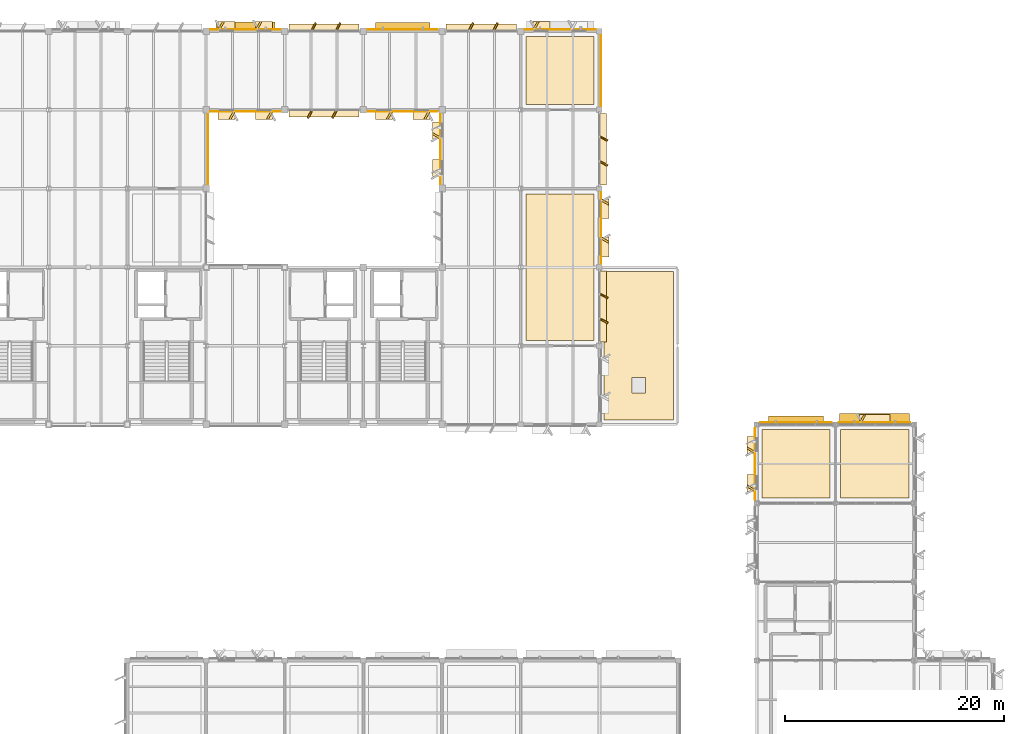
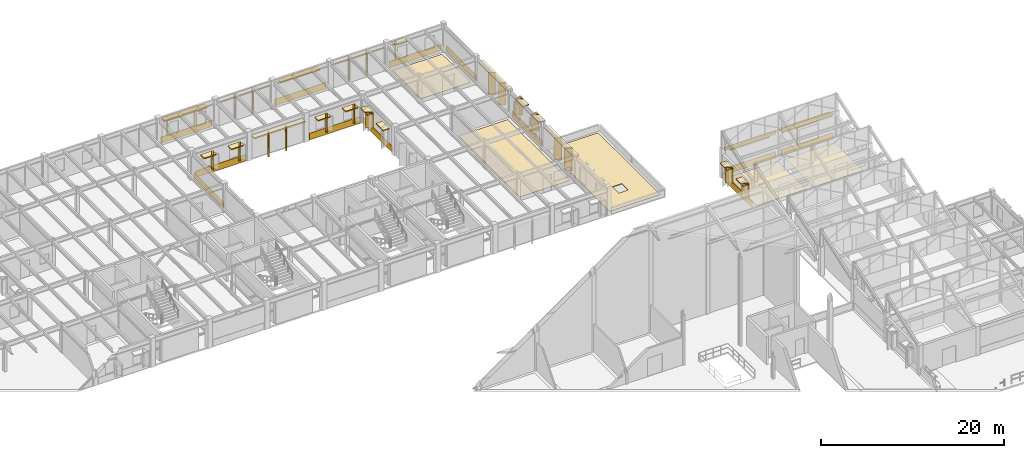
# One storey, part 81 of 82: 61 coverings, 4 shading devices.
"""IFC4 building model written with IfcOpenShell, lengths in metres."""

import ifcopenshell
import ifcopenshell.guid

model = None  # the IFC model being written
_history = None  # IfcOwnerHistory: only IFC2X3 demands one
_inside = {}  # id of a spatial element -> (the spatial element, [elements in it])
_under = {}  # id of a project, library or spatial element -> (it, [spatial elements below it])
_declared = {}  # id of a project -> (the project, [libraries it declares])
_typed = {}  # id of a type object -> (the type object, [elements of that type])
_made_of = {}  # id of a material, layer set ... -> (it, [elements and type objects made of it])


def new_model(schema):
    """Start an empty IFC model of exactly this schema.

    Asked for "IFC4X3", IfcOpenShell would pick the latest addendum, in which some entities
    have other attributes; the version numbers below select the first issue.
    IFC2X3 requires an IfcOwnerHistory on every rooted entity: one is made here for all.
    """
    global model, _history
    if schema == "IFC4X3":
        model = ifcopenshell.file(schema_version=(4, 3, 0, 0))
    else:
        model = ifcopenshell.file(schema=schema)
    _inside.clear()
    _under.clear()
    _declared.clear()
    _typed.clear()
    _made_of.clear()
    _history = None
    if model.schema == "IFC2X3":
        org = make("IfcOrganization", Name="unknown")
        user = make(
            "IfcPersonAndOrganization",
            ThePerson=make("IfcPerson", FamilyName="unknown"),
            TheOrganization=org,
        )
        app = make(
            "IfcApplication",
            ApplicationDeveloper=org,
            Version="unknown",
            ApplicationFullName="unknown",
            ApplicationIdentifier="unknown",
        )
        _history = make(
            "IfcOwnerHistory",
            OwningUser=user,
            OwningApplication=app,
            ChangeAction="ADDED",
            CreationDate=0,
        )
    return model


def make(cls, **values):
    """One entity of the class cls with the attributes given. An attribute that is None is left unset."""
    return model.create_entity(
        cls, **{name: value for name, value in values.items() if value is not None}
    )


def rooted(cls, **values):
    """An entity with a GlobalId (a new one), such as an element, a storey or a relation."""
    return make(cls, GlobalId=ifcopenshell.guid.new(), OwnerHistory=_history, **values)


def si_unit(unit_type, name, prefix=None):
    """IfcSIUnit, for example si_unit("LENGTHUNIT", "METRE", prefix="MILLI")."""
    return make("IfcSIUnit", UnitType=unit_type, Prefix=prefix, Name=name)


def assignment(units):
    """IfcUnitAssignment: the units of a project."""
    return None if units is None else make("IfcUnitAssignment", Units=units)


def point(xyz):
    """IfcCartesianPoint."""
    return None if xyz is None else make("IfcCartesianPoint", Coordinates=xyz)


def direction(xyz):
    """IfcDirection."""
    return None if xyz is None else make("IfcDirection", DirectionRatios=xyz)


def frame(location, z_axis=None, x_axis=None):
    """IfcAxis2Placement3D, a coordinate frame: its origin and axes. An axis left out is left unset."""
    return make(
        "IfcAxis2Placement3D",
        Location=point(location),
        Axis=direction(z_axis),
        RefDirection=direction(x_axis),
    )


def frame_2d(location, x_axis=None):
    """IfcAxis2Placement2D, a coordinate frame in the plane: its origin and x axis."""
    return make(
        "IfcAxis2Placement2D", Location=point(location), RefDirection=direction(x_axis)
    )


def origin():
    """The frame at (0, 0, 0) with its axes left unset."""
    return frame((0.0, 0.0, 0.0))


def origin_2d():
    """The frame at (0, 0) in the plane with its x axis left unset."""
    return frame_2d((0.0, 0.0))


def place(relative_to, where):
    """IfcLocalPlacement: puts the frame where relative to a parent placement (None: the world)."""
    return make(
        "IfcLocalPlacement", PlacementRelTo=relative_to, RelativePlacement=where
    )


def context(
    kind, dimensions, precision=None, world=None, true_north=None, identifier=None
):
    """IfcGeometricRepresentationContext, for example the 3D "Model" context."""
    return make(
        "IfcGeometricRepresentationContext",
        ContextIdentifier=identifier,
        ContextType=kind,
        CoordinateSpaceDimension=dimensions,
        Precision=precision,
        WorldCoordinateSystem=world,
        TrueNorth=true_north,
    )


def subcontext(parent, identifier, kind, view, scale=None):
    """IfcGeometricRepresentationSubContext, for example "Body" below "Model"."""
    return make(
        "IfcGeometricRepresentationSubContext",
        ContextIdentifier=identifier,
        ContextType=kind,
        ParentContext=parent,
        TargetScale=scale,
        TargetView=view,
    )


def project(units=None, contexts=None):
    """IfcProject with its units and contexts."""
    return rooted(
        "IfcProject",
        Name="project",
        RepresentationContexts=contexts,
        UnitsInContext=assignment(units),
    )


def spatial(cls, under=None, at=None, **own):
    """A site, building, storey or space (cls), placed at a placement, below another one or the project."""
    s = rooted(cls, ObjectPlacement=at, **own)
    if under is not None:
        _under.setdefault(under.id(), (under, []))[1].append(s)
    return s


def polyline(points):
    """IfcPolyline through the points."""
    return make("IfcPolyline", Points=[point(p) for p in points])


def profile(cls, at=None, kind="AREA", **sizes):
    """A parametric profile (cls). Its sizes go by their IFC names, for example OverallWidth=200.0."""
    return make(cls, ProfileType=kind, Position=at, **sizes)


def rectangle(**sizes):
    """IfcRectangleProfileDef."""
    return profile("IfcRectangleProfileDef", **sizes)


def outline(outer, holes=None, kind="AREA"):
    """IfcArbitraryClosedProfileDef: a profile drawn as a closed curve; with holes, ...WithVoids."""
    if holes is None:
        return make("IfcArbitraryClosedProfileDef", ProfileType=kind, OuterCurve=outer)
    return make(
        "IfcArbitraryProfileDefWithVoids",
        ProfileType=kind,
        OuterCurve=outer,
        InnerCurves=holes,
    )


def extrude(swept, where, along, depth):
    """IfcExtrudedAreaSolid: the profile swept, set in the frame where, extruded along a direction by depth."""
    return make(
        "IfcExtrudedAreaSolid",
        SweptArea=swept,
        Position=where,
        ExtrudedDirection=direction(along),
        Depth=depth,
    )


def shape(context_of_items, identifier, shape_type, items):
    """IfcShapeRepresentation: the items that make up one representation, for example the "Body"."""
    return make(
        "IfcShapeRepresentation",
        ContextOfItems=context_of_items,
        RepresentationIdentifier=identifier,
        RepresentationType=shape_type,
        Items=items,
    )


def material(Name=None, Category=None):
    """IfcMaterial."""
    return make("IfcMaterial", Name=Name, Category=Category)


def layer(
    of_material, thickness, ventilated=None, Name=None, Category=None, Priority=None
):
    """IfcMaterialLayer: one layer of a wall or slab, of a material (None: an air gap)."""
    return make(
        "IfcMaterialLayer",
        Material=of_material,
        LayerThickness=thickness,
        IsVentilated=ventilated,
        Name=Name,
        Category=Category,
        Priority=Priority,
    )


def layer_set(layers, Name=None):
    """IfcMaterialLayerSet."""
    return make("IfcMaterialLayerSet", MaterialLayers=layers, LayerSetName=Name)


def made_of(thing, what):
    """Note that an element or type object is made of a material, layer set ...; save() writes the relation."""
    if what is not None:
        _made_of.setdefault(what.id(), (what, []))[1].append(thing)
    return thing


def type_object(cls, material=None, **own):
    """A type object (cls), such as IfcWallType, which elements share."""
    return made_of(rooted(cls, **own), material)


def element(
    cls,
    number,
    at=None,
    inside=None,
    cuts=None,
    type_object=None,
    material=None,
    context=None,
    identifier="Body",
    shape_type=None,
    held_by="IfcProductDefinitionShape",
    body=None,
    shapes=None,
    **own,
):
    """One element of the class cls, such as IfcWall. Its Tag is "e" and its number.

    at: its placement. inside: the storey or other place that contains it. cuts: it is an
    opening in that element (IfcRelVoidsElement). A single representation is given by context,
    identifier, shape_type and body (its items); several are given by shapes. held_by: the class
    of the entity that holds the representations. save() writes the other relations.
    """
    e = rooted(cls, Tag="e%d" % number, ObjectPlacement=at, **own)
    if body is not None:
        shapes = [shape(context, identifier, shape_type, body)]
    if shapes is not None:
        e.Representation = make(held_by, Representations=shapes)
    if inside is not None:
        _inside.setdefault(inside.id(), (inside, []))[1].append(e)
    if cuts is not None:
        rooted(
            "IfcRelVoidsElement", RelatingBuildingElement=cuts, RelatedOpeningElement=e
        )
    if type_object is not None:
        _typed.setdefault(type_object.id(), (type_object, []))[1].append(e)
    return made_of(e, material)


def aggregate(whole, parts):
    """IfcRelAggregates: a whole, such as a stair, and the parts it consists of."""
    return rooted("IfcRelAggregates", RelatingObject=whole, RelatedObjects=parts)


def save(model, path):
    """Write the relations noted so far, then the file.

    IfcRelAggregates (storeys below a building ...), IfcRelContainedInSpatialStructure (elements
    in a storey), IfcRelDefinesByType, IfcRelAssociatesMaterial and IfcRelDeclares: one each for
    every whole, place, type object, material and project.
    """
    for whole, parts in _under.values():
        aggregate(whole, parts)
    for where, things in _inside.values():
        rooted(
            "IfcRelContainedInSpatialStructure",
            RelatedElements=things,
            RelatingStructure=where,
        )
    for kind, things in _typed.values():
        rooted("IfcRelDefinesByType", RelatedObjects=things, RelatingType=kind)
    for what, things in _made_of.values():
        rooted("IfcRelAssociatesMaterial", RelatedObjects=things, RelatingMaterial=what)
    for by, libraries in _declared.values():
        rooted("IfcRelDeclares", RelatingContext=by, RelatedDefinitions=libraries)
    model.write(path)


model = new_model("IFC4")

# Units and contexts
model_context = context("Model", 3, precision=1e-05, world=origin(), true_north=direction((0.0, 1.0)))
body_context = subcontext(model_context, "Body", "Model", "MODEL_VIEW")
ifc_project = project(units=[si_unit("LENGTHUNIT", "METRE"), si_unit("AREAUNIT", "SQUARE_METRE"), si_unit("VOLUMEUNIT", "CUBIC_METRE"), si_unit("PLANEANGLEUNIT", "RADIAN"), si_unit("MASSUNIT", "GRAM", prefix="KILO")], contexts=[model_context])

# Site, building, storey
site_placement = place(None, origin())
site = spatial("IfcSite", under=ifc_project, at=site_placement, CompositionType="ELEMENT")
building_placement = place(site_placement, origin())
building = spatial("IfcBuilding", under=site, at=building_placement, Name="Sillqori Civic Hall", CompositionType="ELEMENT")
storey_placement = place(building_placement, frame((0.0, 0.0, 14.10009765625)))
storey = spatial("IfcBuildingStorey", under=building, at=storey_placement, Name="L04", CompositionType="ELEMENT", Elevation=14.10009765625)

# Coverings
ifc_material_1 = material(Name="Cochabamba Honed Limestone Cladding", Category="masonry")
ifc_layer_1 = layer(ifc_material_1, 0.044921875)
ifc_layer_set_1 = layer_set([ifc_layer_1], Name="Cochabamba Honed Limestone Cladding")
covering_type_1 = type_object("IfcCoveringType", Name="COV-CLAD-LIME", PredefinedType="CLADDING", material=ifc_layer_set_1)
for number, where, z_axis, x_axis, name in (
    (1, (72.159912109375, 107.6201171875, 0.039794921875), (0.0, 0.0, 1.0), (0.0, -1.0, 0.0), "L04 limestone spandrel cladding L04-09-14-E"),
    (2, (78.820068359375, 107.840087890625, 0.039794921875), (0.0, 0.0, 1.0), (-1.0, 0.0, 0.0), "L04 limestone spandrel cladding L04-10-15-S"),
):
    element("IfcCovering", number, at=place(storey_placement, frame(where, z_axis=z_axis, x_axis=x_axis)), inside=storey, type_object=covering_type_1, Name=name, PredefinedType="CLADDING", context=body_context, shape_type="SweptSolid", body=[
        extrude(rectangle(XDim=6.440185546875, YDim=0.044921875, at=frame_2d((3.22021484375, 0.0))), origin(), (0.0, 0.0, 1.0), 0.860107421875),
    ])
covering_1_placement = place(storey_placement, frame((78.035888671875, 107.8798828125, 0.829833984375), z_axis=(0.0, 0.0, 1.0), x_axis=(-0.499846793097, -0.866113839764, 0.0)))
element("IfcCovering", 3, at=covering_1_placement, inside=storey, type_object=covering_type_1, Name="Sawtooth limestone angled reveal cheek L04-10-15-S.1", PredefinedType="CLADDING", context=body_context, shape_type="SweptSolid", body=[
    extrude(rectangle(XDim=0.849853515625, YDim=0.179931640625, at=frame_2d((0.4248046875, 0.0))), origin(), (0.0, 0.0, 1.0), 2.0),
])
covering_2_placement = place(storey_placement, frame((78.095947265625, 107.5, 2.68994140625), z_axis=(0.0, 0.0, 1.0), x_axis=(-1.0, 0.0, 0.0)))
element("IfcCovering", 4, at=covering_2_placement, inside=storey, type_object=covering_type_1, Name="Sawtooth limestone window hood L04-10-15-S.1", PredefinedType="CLADDING", context=body_context, shape_type="SweptSolid", body=[
    extrude(rectangle(XDim=1.56005859375, YDim=0.780029296875, at=frame_2d((0.780029296875, 0.0))), origin(), (0.0, 0.0, 1.0), 0.139892578125),
])
covering_3_placement = place(storey_placement, frame((74.60400390625, 107.8798828125, 0.829833984375), z_axis=(0.0, 0.0, 1.0), x_axis=(-0.500062241894, -0.865989465428, 0.0)))
element("IfcCovering", 5, at=covering_3_placement, inside=storey, type_object=covering_type_1, Name="Sawtooth limestone angled reveal cheek L04-10-15-S.2", PredefinedType="CLADDING", context=body_context, shape_type="SweptSolid", body=[
    extrude(rectangle(XDim=0.85009765625, YDim=0.179931640625, at=frame_2d((0.425048828125, 0.0))), origin(), (0.0, 0.0, 1.0), 2.0),
])
covering_4_placement = place(storey_placement, frame((74.6640625, 107.5, 2.68994140625), z_axis=(0.0, 0.0, 1.0), x_axis=(-1.0, 0.0, 0.0)))
element("IfcCovering", 6, at=covering_4_placement, inside=storey, type_object=covering_type_1, Name="Sawtooth limestone window hood L04-10-15-S.2", PredefinedType="CLADDING", context=body_context, shape_type="SweptSolid", body=[
    extrude(rectangle(XDim=1.56005859375, YDim=0.780029296875, at=frame_2d((0.780029296875, 0.0))), origin(), (0.0, 0.0, 1.0), 0.139892578125),
])
covering_5_placement = place(storey_placement, frame((72.3798828125, 115.360107421875, 0.039794921875), z_axis=(0.0, 0.0, 1.0), x_axis=(1.0, 0.0, 0.0)))
element("IfcCovering", 7, at=covering_5_placement, inside=storey, type_object=covering_type_1, Name="L04 limestone spandrel cladding L04-10-15-N", PredefinedType="CLADDING", context=body_context, shape_type="SweptSolid", body=[
    extrude(rectangle(XDim=6.440185546875, YDim=0.044921875, at=frame_2d((3.22021484375, 0.0))), origin(), (0.0, 0.0, 1.0), 0.860107421875),
])
covering_6_placement = place(storey_placement, frame((73.1640625, 115.320068359375, 0.829833984375), z_axis=(0.0, 0.0, 1.0), x_axis=(0.500062241894, 0.865989465428, 0.0)))
element("IfcCovering", 8, at=covering_6_placement, inside=storey, type_object=covering_type_1, Name="Sawtooth limestone angled reveal cheek L04-10-15-N.1", PredefinedType="CLADDING", context=body_context, shape_type="SweptSolid", body=[
    extrude(rectangle(XDim=0.85009765625, YDim=0.179931640625, at=frame_2d((0.425048828125, 0.0))), origin(), (0.0, 0.0, 1.0), 2.0),
])
covering_7_placement = place(storey_placement, frame((73.10400390625, 115.699951171875, 2.68994140625), z_axis=(0.0, 0.0, 1.0), x_axis=(1.0, 0.0, 0.0)))
element("IfcCovering", 9, at=covering_7_placement, inside=storey, type_object=covering_type_1, Name="Sawtooth limestone window hood L04-10-15-N.1", PredefinedType="CLADDING", context=body_context, shape_type="SweptSolid", body=[
    extrude(rectangle(XDim=1.56005859375, YDim=0.780029296875, at=frame_2d((0.780029296875, 0.0))), origin(), (0.0, 0.0, 1.0), 0.139892578125),
])
covering_8_placement = place(storey_placement, frame((76.595947265625, 115.320068359375, 0.829833984375), z_axis=(0.0, 0.0, 1.0), x_axis=(0.500062241894, 0.865989465428, 0.0)))
element("IfcCovering", 10, at=covering_8_placement, inside=storey, type_object=covering_type_1, Name="Sawtooth limestone angled reveal cheek L04-10-15-N.2", PredefinedType="CLADDING", context=body_context, shape_type="SweptSolid", body=[
    extrude(rectangle(XDim=0.85009765625, YDim=0.179931640625, at=frame_2d((0.425048828125, 0.0))), origin(), (0.0, 0.0, 1.0), 2.0),
])
covering_9_placement = place(storey_placement, frame((76.535888671875, 115.699951171875, 2.68994140625), z_axis=(0.0, 0.0, 1.0), x_axis=(1.0, 0.0, 0.0)))
element("IfcCovering", 11, at=covering_9_placement, inside=storey, type_object=covering_type_1, Name="Sawtooth limestone window hood L04-10-15-N.2", PredefinedType="CLADDING", context=body_context, shape_type="SweptSolid", body=[
    extrude(rectangle(XDim=1.56005859375, YDim=0.780029296875, at=frame_2d((0.780029296875, 0.0))), origin(), (0.0, 0.0, 1.0), 0.139892578125),
])
covering_10_placement = place(storey_placement, frame((86.02001953125, 107.679931640625, 2.93798828125), z_axis=(0.0, 0.0, 1.0), x_axis=(-1.0, 0.0, 0.0)))
element("IfcCovering", 12, at=covering_10_placement, inside=storey, type_object=covering_type_1, Name="L04 curtain-wall limestone solar hood L04-11-15-S", PredefinedType="CLADDING", context=body_context, shape_type="SweptSolid", body=[
    extrude(rectangle(XDim=6.43994140625, YDim=0.679931640625, at=frame_2d((3.219970703125, 0.0))), origin(), (0.0, 0.0, 1.0), 0.179931640625),
])
for number, where, z_axis, x_axis, name in (
    (13, (83.922119140625, 107.949951171875, 0.059814453125), (0.0, 0.0, 1.0), (-0.447334902547, -0.894366527193, 0.0), "L04 curtain-wall angled stone fin L04-11-15-S.1"),
    (14, (81.677978515625, 107.949951171875, 0.059814453125), (0.0, 0.0, 1.0), (-0.44709226377, -0.894487846579, 0.0), "L04 curtain-wall angled stone fin L04-11-15-S.2"),
):
    element("IfcCovering", number, at=place(storey_placement, frame(where, z_axis=z_axis, x_axis=x_axis)), inside=storey, type_object=covering_type_1, Name=name, PredefinedType="CLADDING", context=body_context, shape_type="SweptSolid", body=[
        extrude(rectangle(XDim=0.804931640625, YDim=0.139892578125, at=frame_2d((0.40234375, 0.0))), origin(), (0.0, 0.0, 1.0), 2.878173828125),
    ])
covering_11_placement = place(storey_placement, frame((79.580078125, 115.52001953125, 2.93798828125), z_axis=(0.0, 0.0, 1.0), x_axis=(1.0, 0.0, 0.0)))
element("IfcCovering", 15, at=covering_11_placement, inside=storey, type_object=covering_type_1, Name="L04 curtain-wall limestone solar hood L04-11-15-N", PredefinedType="CLADDING", context=body_context, shape_type="SweptSolid", body=[
    extrude(rectangle(XDim=6.43994140625, YDim=0.679931640625, at=frame_2d((3.219970703125, 0.0))), origin(), (0.0, 0.0, 1.0), 0.179931640625),
])
for number, where, z_axis, x_axis, name in (
    (16, (81.677978515625, 115.25, 0.059814453125), (0.0, 0.0, 1.0), (0.447334902547, 0.894366527193, 0.0), "L04 curtain-wall angled stone fin L04-11-15-N.1"),
    (17, (83.922119140625, 115.25, 0.059814453125), (0.0, 0.0, 1.0), (0.44709226377, 0.894487846579, 0.0), "L04 curtain-wall angled stone fin L04-11-15-N.2"),
):
    element("IfcCovering", number, at=place(storey_placement, frame(where, z_axis=z_axis, x_axis=x_axis)), inside=storey, type_object=covering_type_1, Name=name, PredefinedType="CLADDING", context=body_context, shape_type="SweptSolid", body=[
        extrude(rectangle(XDim=0.804931640625, YDim=0.139892578125, at=frame_2d((0.40234375, 0.0))), origin(), (0.0, 0.0, 1.0), 2.878173828125),
    ])
covering_12_placement = place(storey_placement, frame((93.219970703125, 107.840087890625, 0.039794921875), z_axis=(0.0, 0.0, 1.0), x_axis=(-1.0, 0.0, 0.0)))
element("IfcCovering", 18, at=covering_12_placement, inside=storey, type_object=covering_type_1, Name="L04 limestone spandrel cladding L04-12-15-S", PredefinedType="CLADDING", context=body_context, shape_type="SweptSolid", body=[
    extrude(rectangle(XDim=6.43994140625, YDim=0.044921875, at=frame_2d((3.219970703125, 0.0))), origin(), (0.0, 0.0, 1.0), 0.860107421875),
])
covering_13_placement = place(storey_placement, frame((92.43603515625, 107.8798828125, 0.829833984375), z_axis=(0.0, 0.0, 1.0), x_axis=(-0.500062241894, -0.865989465428, 0.0)))
element("IfcCovering", 19, at=covering_13_placement, inside=storey, type_object=covering_type_1, Name="Sawtooth limestone angled reveal cheek L04-12-15-S.1", PredefinedType="CLADDING", context=body_context, shape_type="SweptSolid", body=[
    extrude(rectangle(XDim=0.85009765625, YDim=0.179931640625, at=frame_2d((0.425048828125, 0.0))), origin(), (0.0, 0.0, 1.0), 2.0),
])
covering_14_placement = place(storey_placement, frame((92.49609375, 107.5, 2.68994140625), z_axis=(0.0, 0.0, 1.0), x_axis=(-1.0, 0.0, 0.0)))
element("IfcCovering", 20, at=covering_14_placement, inside=storey, type_object=covering_type_1, Name="Sawtooth limestone window hood L04-12-15-S.1", PredefinedType="CLADDING", context=body_context, shape_type="SweptSolid", body=[
    extrude(rectangle(XDim=1.56005859375, YDim=0.780029296875, at=frame_2d((0.780029296875, 0.0))), origin(), (0.0, 0.0, 1.0), 0.139892578125),
])
covering_15_placement = place(storey_placement, frame((89.00390625, 107.8798828125, 0.829833984375), z_axis=(0.0, 0.0, 1.0), x_axis=(-0.499846793097, -0.866113839764, 0.0)))
element("IfcCovering", 21, at=covering_15_placement, inside=storey, type_object=covering_type_1, Name="Sawtooth limestone angled reveal cheek L04-12-15-S.2", PredefinedType="CLADDING", context=body_context, shape_type="SweptSolid", body=[
    extrude(rectangle(XDim=0.849853515625, YDim=0.179931640625, at=frame_2d((0.4248046875, 0.0))), origin(), (0.0, 0.0, 1.0), 2.0),
])
covering_16_placement = place(storey_placement, frame((89.06396484375, 107.5, 2.68994140625), z_axis=(0.0, 0.0, 1.0), x_axis=(-1.0, 0.0, 0.0)))
element("IfcCovering", 22, at=covering_16_placement, inside=storey, type_object=covering_type_1, Name="Sawtooth limestone window hood L04-12-15-S.2", PredefinedType="CLADDING", context=body_context, shape_type="SweptSolid", body=[
    extrude(rectangle(XDim=1.56005859375, YDim=0.780029296875, at=frame_2d((0.780029296875, 0.0))), origin(), (0.0, 0.0, 1.0), 0.139892578125),
])
covering_17_placement = place(storey_placement, frame((86.780029296875, 115.360107421875, 0.039794921875), z_axis=(0.0, 0.0, 1.0), x_axis=(1.0, 0.0, 0.0)))
element("IfcCovering", 23, at=covering_17_placement, inside=storey, type_object=covering_type_1, Name="L04 limestone spandrel cladding L04-12-15-N", PredefinedType="CLADDING", context=body_context, shape_type="SweptSolid", body=[
    extrude(rectangle(XDim=6.43994140625, YDim=0.044921875, at=frame_2d((3.219970703125, 0.0))), origin(), (0.0, 0.0, 1.0), 0.860107421875),
])
covering_18_placement = place(storey_placement, frame((93.43994140625, 101.179931640625, 0.039794921875), z_axis=(0.0, 0.0, 1.0), x_axis=(0.0, 1.0, 0.0)))
element("IfcCovering", 24, at=covering_18_placement, inside=storey, type_object=covering_type_1, Name="L04 limestone spandrel cladding L04-13-14-W", PredefinedType="CLADDING", context=body_context, shape_type="SweptSolid", body=[
    extrude(rectangle(XDim=6.440185546875, YDim=0.044921875, at=frame_2d((3.22021484375, 0.0))), origin(), (0.0, 0.0, 1.0), 0.860107421875),
])
covering_19_placement = place(storey_placement, frame((93.10009765625, 101.904052734375, 2.68994140625), z_axis=(0.0, 0.0, 1.0), x_axis=(0.0, 1.0, 0.0)))
element("IfcCovering", 25, at=covering_19_placement, inside=storey, type_object=covering_type_1, Name="Sawtooth limestone window hood L04-13-14-W.1", PredefinedType="CLADDING", context=body_context, shape_type="SweptSolid", body=[
    extrude(rectangle(XDim=1.56005859375, YDim=0.780029296875, at=frame_2d((0.780029296875, 0.0))), origin(), (0.0, 0.0, 1.0), 0.139892578125),
])
covering_20_placement = place(storey_placement, frame((93.47998046875, 105.39599609375, 0.829833984375), z_axis=(0.0, 0.0, 1.0), x_axis=(-0.865989465428, 0.500062241894, 0.0)))
element("IfcCovering", 26, at=covering_20_placement, inside=storey, type_object=covering_type_1, Name="Sawtooth limestone angled reveal cheek L04-13-14-W.2", PredefinedType="CLADDING", context=body_context, shape_type="SweptSolid", body=[
    extrude(rectangle(XDim=0.85009765625, YDim=0.179931640625, at=frame_2d((0.425048828125, 0.0))), origin(), (0.0, 0.0, 1.0), 2.0),
])
covering_21_placement = place(storey_placement, frame((93.10009765625, 105.3359375, 2.68994140625), z_axis=(0.0, 0.0, 1.0), x_axis=(0.0, 1.0, 0.0)))
element("IfcCovering", 27, at=covering_21_placement, inside=storey, type_object=covering_type_1, Name="Sawtooth limestone window hood L04-13-14-W.2", PredefinedType="CLADDING", context=body_context, shape_type="SweptSolid", body=[
    extrude(rectangle(XDim=1.56005859375, YDim=0.780029296875, at=frame_2d((0.780029296875, 0.0))), origin(), (0.0, 0.0, 1.0), 0.139892578125),
])
covering_22_placement = place(storey_placement, frame((93.97998046875, 115.52001953125, 2.93798828125), z_axis=(0.0, 0.0, 1.0), x_axis=(1.0, 0.0, 0.0)))
element("IfcCovering", 28, at=covering_22_placement, inside=storey, type_object=covering_type_1, Name="L04 curtain-wall limestone solar hood L04-13-15-N", PredefinedType="CLADDING", context=body_context, shape_type="SweptSolid", body=[
    extrude(rectangle(XDim=6.43994140625, YDim=0.679931640625, at=frame_2d((3.219970703125, 0.0))), origin(), (0.0, 0.0, 1.0), 0.179931640625),
])
for number, where, z_axis, x_axis, name in (
    (29, (96.077880859375, 115.25, 0.059814453125), (0.0, 0.0, 1.0), (0.447334902547, 0.894366527193, 0.0), "L04 curtain-wall angled stone fin L04-13-15-N.1"),
    (30, (98.322021484375, 115.25, 0.059814453125), (0.0, 0.0, 1.0), (0.44709226377, 0.894487846579, 0.0), "L04 curtain-wall angled stone fin L04-13-15-N.2"),
):
    element("IfcCovering", number, at=place(storey_placement, frame(where, z_axis=z_axis, x_axis=x_axis)), inside=storey, type_object=covering_type_1, Name=name, PredefinedType="CLADDING", context=body_context, shape_type="SweptSolid", body=[
        extrude(rectangle(XDim=0.804931640625, YDim=0.139892578125, at=frame_2d((0.40234375, 0.0))), origin(), (0.0, 0.0, 1.0), 2.878173828125),
    ])
covering_23_placement = place(storey_placement, frame((108.320068359375, 93.27001953125, 2.991943359375), z_axis=(0.0, 0.0, 1.0), x_axis=(0.0, -1.0, 0.0)))
element("IfcCovering", 31, at=covering_23_placement, inside=storey, type_object=covering_type_1, Name="L04 curtain-wall limestone solar hood L04-14-12-E", PredefinedType="CLADDING", context=body_context, shape_type="SweptSolid", body=[
    extrude(rectangle(XDim=6.5400390625, YDim=0.679931640625, at=frame_2d((3.27001953125, 0.0))), origin(), (0.0, 0.0, 1.0), 0.179931640625),
])
for number, where, z_axis, x_axis, name in (
    (32, (108.050048828125, 91.138916015625, 0.059814453125), (0.0, 0.0, 1.0), (0.894487846579, -0.44709226377, 0.0), "L04 curtain-wall angled stone fin L04-14-12-E.1"),
    (33, (108.050048828125, 88.861083984375, 0.059814453125), (0.0, 0.0, 1.0), (0.894366527193, -0.447334902547, 0.0), "L04 curtain-wall angled stone fin L04-14-12-E.2"),
):
    element("IfcCovering", number, at=place(storey_placement, frame(where, z_axis=z_axis, x_axis=x_axis)), inside=storey, type_object=covering_type_1, Name=name, PredefinedType="CLADDING", context=body_context, shape_type="SweptSolid", body=[
        extrude(rectangle(XDim=0.804931640625, YDim=0.139892578125, at=frame_2d((0.40234375, 0.0))), origin(), (0.0, 0.0, 1.0), 2.93212890625),
    ])
covering_24_placement = place(storey_placement, frame((108.159912109375, 100.469970703125, 0.039794921875), z_axis=(0.0, 0.0, 1.0), x_axis=(0.0, -1.0, 0.0)))
element("IfcCovering", 34, at=covering_24_placement, inside=storey, type_object=covering_type_1, Name="L04 limestone spandrel cladding L04-14-13-E", PredefinedType="CLADDING", context=body_context, shape_type="SweptSolid", body=[
    extrude(rectangle(XDim=6.5400390625, YDim=0.044921875, at=frame_2d((3.27001953125, 0.0))), origin(), (0.0, 0.0, 1.0), 0.860107421875),
])
covering_25_placement = place(storey_placement, frame((108.1201171875, 99.787109375, 0.829833984375), z_axis=(0.0, 0.0, 1.0), x_axis=(0.865989465428, -0.500062241894, 0.0)))
element("IfcCovering", 35, at=covering_25_placement, inside=storey, type_object=covering_type_1, Name="Sawtooth limestone angled reveal cheek L04-14-13-E.1", PredefinedType="CLADDING", context=body_context, shape_type="SweptSolid", body=[
    extrude(rectangle(XDim=0.85009765625, YDim=0.179931640625, at=frame_2d((0.425048828125, 0.0))), origin(), (0.0, 0.0, 1.0), 2.150146484375),
])
covering_26_placement = place(storey_placement, frame((108.5, 99.846923828125, 2.83984375), z_axis=(0.0, 0.0, 1.0), x_axis=(0.0, -1.0, 0.0)))
element("IfcCovering", 36, at=covering_26_placement, inside=storey, type_object=covering_type_1, Name="Sawtooth limestone window hood L04-14-13-E.1", PredefinedType="CLADDING", context=body_context, shape_type="SweptSolid", body=[
    extrude(rectangle(XDim=1.809814453125, YDim=0.780029296875, at=frame_2d((0.90478515625, 0.0))), origin(), (0.0, 0.0, 1.0), 0.14013671875),
])
covering_27_placement = place(storey_placement, frame((108.1201171875, 96.302978515625, 0.829833984375), z_axis=(0.0, 0.0, 1.0), x_axis=(0.865989465428, -0.500062241894, 0.0)))
element("IfcCovering", 37, at=covering_27_placement, inside=storey, type_object=covering_type_1, Name="Sawtooth limestone angled reveal cheek L04-14-13-E.2", PredefinedType="CLADDING", context=body_context, shape_type="SweptSolid", body=[
    extrude(rectangle(XDim=0.85009765625, YDim=0.179931640625, at=frame_2d((0.425048828125, 0.0))), origin(), (0.0, 0.0, 1.0), 2.150146484375),
])
covering_28_placement = place(storey_placement, frame((108.5, 96.363037109375, 2.83984375), z_axis=(0.0, 0.0, 1.0), x_axis=(0.0, -1.0, 0.0)))
element("IfcCovering", 38, at=covering_28_placement, inside=storey, type_object=covering_type_1, Name="Sawtooth limestone window hood L04-14-13-E.2", PredefinedType="CLADDING", context=body_context, shape_type="SweptSolid", body=[
    extrude(rectangle(XDim=1.81005859375, YDim=0.780029296875, at=frame_2d((0.905029296875, 0.0))), origin(), (0.0, 0.0, 1.0), 0.14013671875),
])
covering_29_placement = place(storey_placement, frame((108.320068359375, 107.669921875, 2.991943359375), z_axis=(0.0, 0.0, 1.0), x_axis=(0.0, -1.0, 0.0)))
element("IfcCovering", 39, at=covering_29_placement, inside=storey, type_object=covering_type_1, Name="L04 curtain-wall limestone solar hood L04-14-14-E", PredefinedType="CLADDING", context=body_context, shape_type="SweptSolid", body=[
    extrude(rectangle(XDim=6.5400390625, YDim=0.679931640625, at=frame_2d((3.27001953125, 0.0))), origin(), (0.0, 0.0, 1.0), 0.179931640625),
])
for number, where, z_axis, x_axis, name in (
    (40, (108.050048828125, 105.5390625, 0.059814453125), (0.0, 0.0, 1.0), (0.894366527193, -0.447334902547, 0.0), "L04 curtain-wall angled stone fin L04-14-14-E.1"),
    (41, (108.050048828125, 103.260986328125, 0.059814453125), (0.0, 0.0, 1.0), (0.894366527193, -0.447334902547, 0.0), "L04 curtain-wall angled stone fin L04-14-14-E.2"),
):
    element("IfcCovering", number, at=place(storey_placement, frame(where, z_axis=z_axis, x_axis=x_axis)), inside=storey, type_object=covering_type_1, Name=name, PredefinedType="CLADDING", context=body_context, shape_type="SweptSolid", body=[
        extrude(rectangle(XDim=0.804931640625, YDim=0.139892578125, at=frame_2d((0.40234375, 0.0))), origin(), (0.0, 0.0, 1.0), 2.93212890625),
    ])
covering_30_placement = place(storey_placement, frame((101.179931640625, 115.360107421875, 0.039794921875), z_axis=(0.0, 0.0, 1.0), x_axis=(1.0, 0.0, 0.0)))
element("IfcCovering", 42, at=covering_30_placement, inside=storey, type_object=covering_type_1, Name="L04 limestone spandrel cladding L04-14-15-N", PredefinedType="CLADDING", context=body_context, shape_type="SweptSolid", body=[
    extrude(rectangle(XDim=6.489990234375, YDim=0.044921875, at=frame_2d((3.2451171875, 0.0))), origin(), (0.0, 0.0, 1.0), 0.860107421875),
])
covering_31_placement = place(storey_placement, frame((101.97607421875, 115.320068359375, 0.829833984375), z_axis=(0.0, 0.0, 1.0), x_axis=(0.499846793097, 0.866113839764, 0.0)))
element("IfcCovering", 43, at=covering_31_placement, inside=storey, type_object=covering_type_1, Name="Sawtooth limestone angled reveal cheek L04-14-15-N.1", PredefinedType="CLADDING", context=body_context, shape_type="SweptSolid", body=[
    extrude(rectangle(XDim=0.849853515625, YDim=0.179931640625, at=frame_2d((0.4248046875, 0.0))), origin(), (0.0, 0.0, 1.0), 2.0),
])
covering_32_placement = place(storey_placement, frame((101.916015625, 115.699951171875, 2.68994140625), z_axis=(0.0, 0.0, 1.0), x_axis=(1.0, 0.0, 0.0)))
element("IfcCovering", 44, at=covering_32_placement, inside=storey, type_object=covering_type_1, Name="Sawtooth limestone window hood L04-14-15-N.1", PredefinedType="CLADDING", context=body_context, shape_type="SweptSolid", body=[
    extrude(rectangle(XDim=1.56005859375, YDim=0.780029296875, at=frame_2d((0.780029296875, 0.0))), origin(), (0.0, 0.0, 1.0), 0.139892578125),
])
for number, where, z_axis, x_axis, name in (
    (45, (108.159912109375, 114.8701171875, 0.039794921875), (0.0, 0.0, 1.0), (0.0, -1.0, 0.0), "L04 limestone spandrel cladding L04-14-15-E"),
    (46, (122.72998046875, 79.3701171875, 0.039794921875), (0.0, 0.0, 1.0), (1.0, 0.0, 0.0), "L04 limestone spandrel cladding L04-17-10-N"),
):
    element("IfcCovering", number, at=place(storey_placement, frame(where, z_axis=z_axis, x_axis=x_axis)), inside=storey, type_object=covering_type_1, Name=name, PredefinedType="CLADDING", context=body_context, shape_type="SweptSolid", body=[
        extrude(rectangle(XDim=6.5400390625, YDim=0.044921875, at=frame_2d((3.27001953125, 0.0))), origin(), (0.0, 0.0, 1.0), 0.860107421875),
    ])
covering_33_placement = place(storey_placement, frame((122.72998046875, 79.3701171875, 3.219970703125), z_axis=(0.0, 0.0, 1.0), x_axis=(1.0, 0.0, 0.0)))
element("IfcCovering", 47, at=covering_33_placement, inside=storey, type_object=covering_type_1, Name="L04 limestone frieze cladding L04-17-10-N", PredefinedType="CLADDING", context=body_context, shape_type="SweptSolid", body=[
    extrude(rectangle(XDim=6.5400390625, YDim=0.044921875, at=frame_2d((3.27001953125, 0.0))), origin(), (0.0, 0.0, 1.0), 0.4599609375),
])
covering_34_placement = place(storey_placement, frame((122.22998046875, 72.330078125, 0.039794921875), z_axis=(0.0, 0.0, 1.0), x_axis=(0.0, 1.0, 0.0)))
element("IfcCovering", 48, at=covering_34_placement, inside=storey, type_object=covering_type_1, Name="L04 limestone spandrel cladding L04-17-10-W", PredefinedType="CLADDING", context=body_context, shape_type="SweptSolid", body=[
    extrude(rectangle(XDim=6.5400390625, YDim=0.044921875, at=frame_2d((3.27001953125, 0.0))), origin(), (0.0, 0.0, 1.0), 0.860107421875),
])
covering_35_placement = place(storey_placement, frame((122.27001953125, 73.137939453125, 0.829833984375), z_axis=(0.0, 0.0, 1.0), x_axis=(-0.865989465428, 0.500062241894, 0.0)))
element("IfcCovering", 49, at=covering_35_placement, inside=storey, type_object=covering_type_1, Name="Sawtooth limestone angled reveal cheek L04-17-10-W.1", PredefinedType="CLADDING", context=body_context, shape_type="SweptSolid", body=[
    extrude(rectangle(XDim=0.85009765625, YDim=0.179931640625, at=frame_2d((0.425048828125, 0.0))), origin(), (0.0, 0.0, 1.0), 2.0),
])
covering_36_placement = place(storey_placement, frame((121.889892578125, 73.077880859375, 2.68994140625), z_axis=(0.0, 0.0, 1.0), x_axis=(0.0, 1.0, 0.0)))
element("IfcCovering", 50, at=covering_36_placement, inside=storey, type_object=covering_type_1, Name="Sawtooth limestone window hood L04-17-10-W.1", PredefinedType="CLADDING", context=body_context, shape_type="SweptSolid", body=[
    extrude(rectangle(XDim=1.56005859375, YDim=0.780029296875, at=frame_2d((0.780029296875, 0.0))), origin(), (0.0, 0.0, 1.0), 0.139892578125),
])
covering_37_placement = place(storey_placement, frame((122.27001953125, 76.6220703125, 0.829833984375), z_axis=(0.0, 0.0, 1.0), x_axis=(-0.865989465428, 0.500062241894, 0.0)))
element("IfcCovering", 51, at=covering_37_placement, inside=storey, type_object=covering_type_1, Name="Sawtooth limestone angled reveal cheek L04-17-10-W.2", PredefinedType="CLADDING", context=body_context, shape_type="SweptSolid", body=[
    extrude(rectangle(XDim=0.85009765625, YDim=0.179931640625, at=frame_2d((0.425048828125, 0.0))), origin(), (0.0, 0.0, 1.0), 2.0),
])
covering_38_placement = place(storey_placement, frame((121.889892578125, 76.56201171875, 2.68994140625), z_axis=(0.0, 0.0, 1.0), x_axis=(0.0, 1.0, 0.0)))
element("IfcCovering", 52, at=covering_38_placement, inside=storey, type_object=covering_type_1, Name="Sawtooth limestone window hood L04-17-10-W.2", PredefinedType="CLADDING", context=body_context, shape_type="SweptSolid", body=[
    extrude(rectangle(XDim=1.56005859375, YDim=0.780029296875, at=frame_2d((0.780029296875, 0.0))), origin(), (0.0, 0.0, 1.0), 0.139892578125),
])
covering_39_placement = place(storey_placement, frame((129.929931640625, 79.3701171875, 0.039794921875), z_axis=(0.0, 0.0, 1.0), x_axis=(1.0, 0.0, 0.0)))
element("IfcCovering", 53, at=covering_39_placement, inside=storey, type_object=covering_type_1, Name="L04 limestone spandrel cladding L04-18-10-N", PredefinedType="CLADDING", context=body_context, shape_type="SweptSolid", body=[
    extrude(rectangle(XDim=6.5400390625, YDim=0.044921875, at=frame_2d((3.27001953125, 0.0))), origin(), (0.0, 0.0, 1.0), 0.860107421875),
])
covering_40_placement = place(storey_placement, frame((129.929931640625, 79.3701171875, 3.219970703125), z_axis=(0.0, 0.0, 1.0), x_axis=(1.0, 0.0, 0.0)))
element("IfcCovering", 54, at=covering_40_placement, inside=storey, type_object=covering_type_1, Name="L04 limestone frieze cladding L04-18-10-N", PredefinedType="CLADDING", context=body_context, shape_type="SweptSolid", body=[
    extrude(rectangle(XDim=6.5400390625, YDim=0.044921875, at=frame_2d((3.27001953125, 0.0))), origin(), (0.0, 0.0, 1.0), 0.4599609375),
])
covering_41_placement = place(storey_placement, frame((131.85498046875, 79.330078125, 0.829833984375), z_axis=(0.0, 0.0, 1.0), x_axis=(0.500062241894, 0.865989465428, 0.0)))
element("IfcCovering", 55, at=covering_41_placement, inside=storey, type_object=covering_type_1, Name="Sawtooth limestone angled reveal cheek L04-18-10-N.1", PredefinedType="CLADDING", context=body_context, shape_type="SweptSolid", body=[
    extrude(rectangle(XDim=0.85009765625, YDim=0.179931640625, at=frame_2d((0.425048828125, 0.0))), origin(), (0.0, 0.0, 1.0), 2.35009765625),
])
covering_42_placement = place(storey_placement, frame((131.794921875, 79.7099609375, 3.039794921875), z_axis=(0.0, 0.0, 1.0), x_axis=(1.0, 0.0, 0.0)))
element("IfcCovering", 56, at=covering_42_placement, inside=storey, type_object=covering_type_1, Name="Sawtooth limestone window hood L04-18-10-N.1", PredefinedType="CLADDING", context=body_context, shape_type="SweptSolid", body=[
    extrude(rectangle(XDim=2.81005859375, YDim=0.780029296875, at=frame_2d((1.405029296875, 0.0))), origin(), (0.0, 0.0, 1.0), 0.14013671875),
])
ifc_material_2 = material(Name="Engineered Tajibo Hardwood Flooring", Category="wood")
ifc_layer_2 = layer(ifc_material_2, 0.02587890625)
ifc_layer_set_2 = layer_set([ifc_layer_2], Name="Engineered Tajibo Hardwood Flooring")
covering_type_2 = type_object("IfcCoveringType", Name="COV-FLR-PRQ", PredefinedType="FLOORING", material=ifc_layer_set_2)
covering_43_placement = place(storey_placement, origin())
element("IfcCovering", 57, at=covering_43_placement, inside=storey, type_object=covering_type_2, Name="Clerestory Members Library Reading Room L04-04 floor finish", PredefinedType="FLOORING", context=body_context, shape_type="SweptSolid", body=[
    extrude(outline(polyline([(130.080078125, 72.47998046875), (136.320068359375, 72.47998046875), (136.320068359375, 78.719970703125), (130.080078125, 78.719970703125), (130.080078125, 72.47998046875)])), origin(), (0.0, 0.0, 1.0), 0.02587890625),
])
ifc_material_3 = material(Name="Thick Ceremonial Limestone Flagstone 50", Category="masonry")
ifc_layer_3 = layer(ifc_material_3, 0.050048828125)
ifc_layer_set_3 = layer_set([ifc_layer_3], Name="Thick Ceremonial Limestone Flagstone 50")
covering_type_3 = type_object("IfcCoveringType", Name="COV-FLR-S50", PredefinedType="FLOORING", material=ifc_layer_set_3)
covering_44_placement = place(storey_placement, origin())
element("IfcCovering", 58, at=covering_44_placement, inside=storey, type_object=covering_type_3, Name="Municipal Treasury and Finance Directorate L04-05 floor finish", PredefinedType="FLOORING", context=body_context, shape_type="SweptSolid", body=[
    extrude(outline(polyline([(101.280029296875, 86.8798828125), (107.52001953125, 86.8798828125), (107.52001953125, 100.320068359375), (101.280029296875, 100.320068359375), (101.280029296875, 86.8798828125)])), origin(), (0.0, 0.0, 1.0), 0.0498046875),
])
ifc_material_4 = material(Name="Heavy Hall Basalt Terrazzo 56", Category="masonry")
ifc_layer_4 = layer(ifc_material_4, 0.055908203125)
ifc_layer_set_4 = layer_set([ifc_layer_4], Name="Heavy Hall Basalt Terrazzo 56")
covering_type_4 = type_object("IfcCoveringType", Name="COV-FLR-S56", PredefinedType="FLOORING", material=ifc_layer_set_4)
covering_45_placement = place(storey_placement, origin())
element("IfcCovering", 59, at=covering_45_placement, inside=storey, type_object=covering_type_4, Name="Revenue Accounting and Procurement Office L04-06 floor finish", PredefinedType="FLOORING", context=body_context, shape_type="SweptSolid", body=[
    extrude(outline(polyline([(101.280029296875, 108.47998046875), (107.52001953125, 108.47998046875), (107.52001953125, 114.719970703125), (101.280029296875, 114.719970703125), (101.280029296875, 108.47998046875)])), origin(), (0.0, 0.0, 1.0), 0.055908203125),
])
ifc_material_5 = material(Name="Raised Access Technical Floor Panel 62", Category="stone")
ifc_layer_5 = layer(ifc_material_5, 0.06201171875)
ifc_layer_set_5 = layer_set([ifc_layer_5], Name="Raised Access Technical Floor Panel 62")
covering_type_5 = type_object("IfcCoveringType", Name="COV-FLR-S62", PredefinedType="FLOORING", material=ifc_layer_set_5)
covering_46_placement = place(storey_placement, origin())
element("IfcCovering", 60, at=covering_46_placement, inside=storey, type_object=covering_type_5, Name="Constitutional Law Open Book Stacks floor finish", PredefinedType="FLOORING", context=body_context, shape_type="SweptSolid", body=[
    extrude(outline(polyline([(122.8798828125, 72.47998046875), (129.1201171875, 72.47998046875), (129.1201171875, 78.719970703125), (122.8798828125, 78.719970703125), (122.8798828125, 72.47998046875)])), origin(), (0.0, 0.0, 1.0), 0.06201171875),
])
ifc_material_6 = material(Name="Insulated Standing-Seam Solar Roof Membrane", Category="membrane")
ifc_layer_6 = layer(ifc_material_6, 0.054931640625)
ifc_layer_set_6 = layer_set([ifc_layer_6], Name="Insulated Standing-Seam Solar Roof Membrane")
covering_type_6 = type_object("IfcCoveringType", Name="COV-ROOF-TPO", PredefinedType="ROOFING", material=ifc_layer_set_6)
covering_47_placement = place(storey_placement, origin())
element("IfcCovering", 61, at=covering_47_placement, inside=storey, type_object=covering_type_6, Name="L04 insulated TPO roof membrane ROOF-FLAT-L03-4", PredefinedType="ROOFING", context=body_context, shape_type="SweptSolid", body=[
    extrude(outline(polyline([(108.39990234375, 79.60009765625), (114.800048828125, 79.60009765625), (114.800048828125, 93.199951171875), (108.39990234375, 93.199951171875), (108.39990234375, 79.60009765625)]), holes=[polyline([(111.0, 82.10009765625), (111.0, 83.5), (112.199951171875, 83.5), (112.199951171875, 82.10009765625), (111.0, 82.10009765625)])]), origin(), (0.0, 0.0, 1.0), 0.054931640625),
])

# Shading devices
ifc_material_7 = material(Name="Anodized Aluminium Solar Control Louvre", Category="aluminium")
shading_device_type_1 = type_object("IfcShadingDeviceType", Name="SHD-HOOD-500", PredefinedType="JALOUSIE", material=ifc_material_7)
for number, where, z_axis, x_axis, name in (
    (62, (90.0, 115.64990234375, 2.77001953125), (0.0, 0.0, 1.0), (1.0, 0.0, 0.0), "L04 north solar hood L04-12-15-N"),
    (63, (126.0, 79.659912109375, 3.02001953125), (0.0, 0.0, 1.0), (1.0, 0.0, 0.0), "L04 north solar hood L04-17-10-N"),
):
    element("IfcShadingDevice", number, at=place(storey_placement, frame(where, z_axis=z_axis, x_axis=x_axis)), inside=storey, type_object=shading_device_type_1, Name=name, PredefinedType="JALOUSIE", context=body_context, shape_type="SweptSolid", body=[
        extrude(rectangle(XDim=5.0, YDim=0.64990234375, at=origin_2d()), origin(), (0.0, 0.0, 1.0), 0.139892578125),
    ])
shading_device_type_2 = type_object("IfcShadingDeviceType", Name="SHD-HOOD-540", PredefinedType="JALOUSIE", material=ifc_material_7)
shading_device_1_placement = place(storey_placement, frame((75.60009765625, 115.675048828125, 2.7197265625), z_axis=(0.0, 0.0, 1.0), x_axis=(1.0, 0.0, 0.0)))
element("IfcShadingDevice", 64, at=shading_device_1_placement, inside=storey, type_object=shading_device_type_2, Name="L04 north solar hood L04-10-15-N", PredefinedType="JALOUSIE", context=body_context, shape_type="SweptSolid", body=[
    extrude(rectangle(XDim=5.39990234375, YDim=0.699951171875, at=origin_2d()), origin(), (0.0, 0.0, 1.0), 0.139892578125),
])
shading_device_type_3 = type_object("IfcShadingDeviceType", Name="SHD-HOOD-640", PredefinedType="JALOUSIE", material=ifc_material_7)
shading_device_2_placement = place(storey_placement, frame((133.199951171875, 79.760009765625, 3.06982421875), z_axis=(0.0, 0.0, 1.0), x_axis=(1.0, 0.0, 0.0)))
element("IfcShadingDevice", 65, at=shading_device_2_placement, inside=storey, type_object=shading_device_type_3, Name="L04 north solar hood L04-18-10-N", PredefinedType="JALOUSIE", context=body_context, shape_type="SweptSolid", body=[
    extrude(rectangle(XDim=6.39990234375, YDim=0.85009765625, at=origin_2d()), origin(), (0.0, 0.0, 1.0), 0.139892578125),
])

save(model, "model.ifc")
